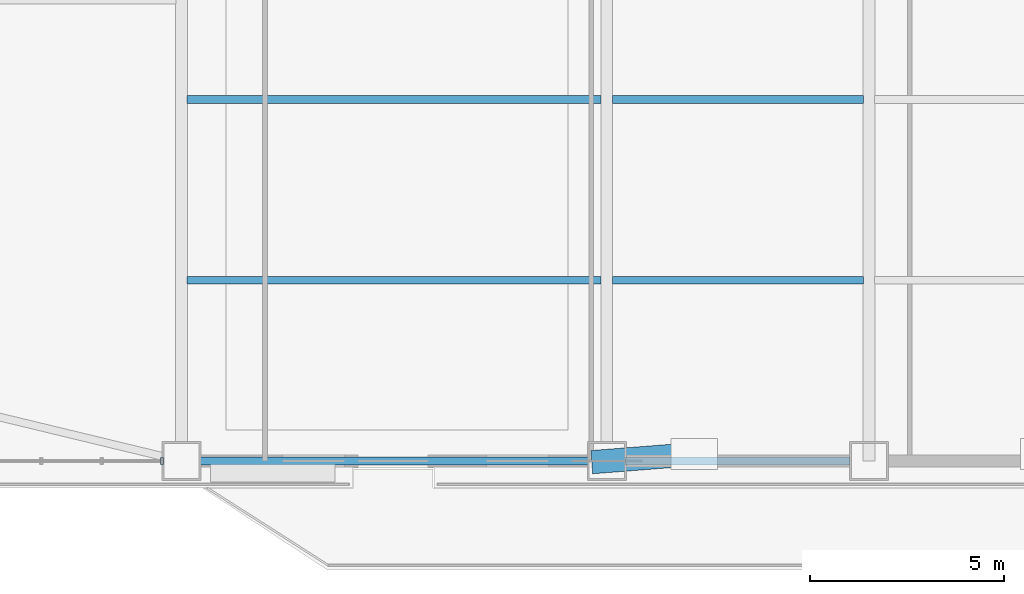
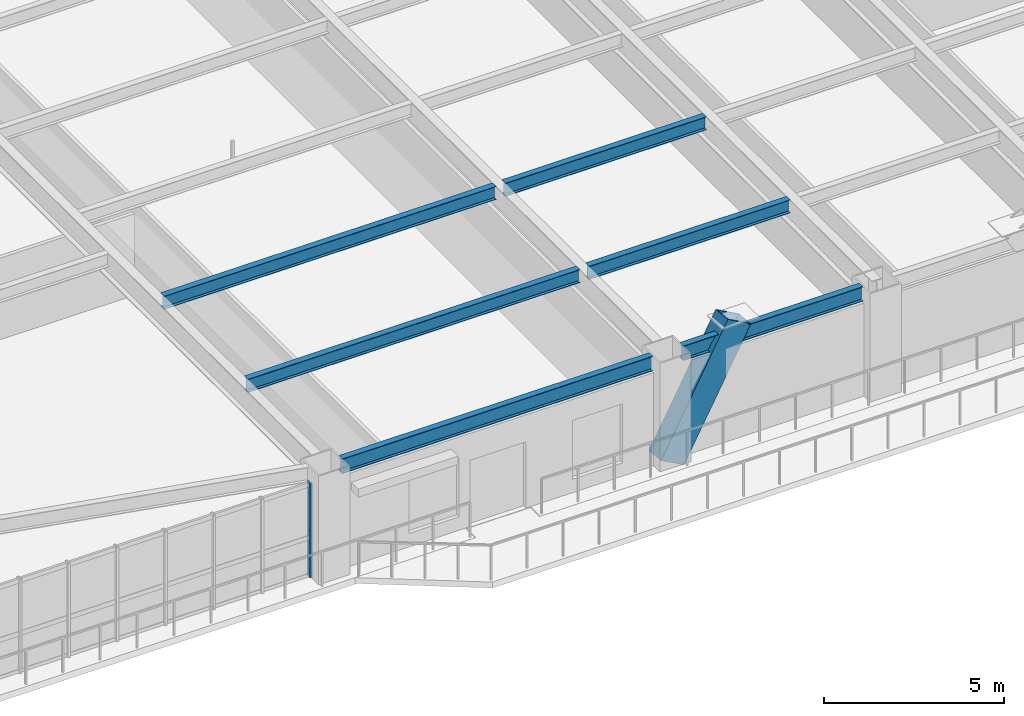
# One storey, part 4 of 18: 6 beams, 2 members, 1 element without a shape of its own.
"""IFC4 building model written with IfcOpenShell, lengths in metres."""

from ifc_helpers import new_model, si_unit, direction, frame, origin, origin_2d, place, context, subcontext, project, spatial, hollow_rectangle, i_section, extrude, source, transform, mapped, material, layer, layer_set, material_profile, profile_set, type_object, element, aggregate, save


model = new_model("IFC4")

# Units and contexts
model_context = context("Model", 3, precision=1e-05, world=origin(), true_north=direction((0.0, 1.0)))
body_context = subcontext(model_context, "Body", "Model", "MODEL_VIEW")
ifc_project = project(units=[si_unit("LENGTHUNIT", "METRE"), si_unit("AREAUNIT", "SQUARE_METRE"), si_unit("VOLUMEUNIT", "CUBIC_METRE"), si_unit("PLANEANGLEUNIT", "RADIAN"), si_unit("MASSUNIT", "GRAM", prefix="KILO")], contexts=[model_context])

# Site, building, storey
site_placement = place(None, origin())
site = spatial("IfcSite", under=ifc_project, at=site_placement, CompositionType="ELEMENT")
building_placement = place(site_placement, origin())
building = spatial("IfcBuilding", under=site, at=building_placement, Name="Giltprow Tower", CompositionType="ELEMENT")
storey_placement = place(building_placement, frame((0.0, 0.0, 61.10009765625)))
storey = spatial("IfcBuildingStorey", under=building, at=storey_placement, Name="L15", CompositionType="ELEMENT", Elevation=61.10009765625)

# Beams
ifc_material_1 = material(Name="Structural steel Q355B", Category="steel")
ifc_material_profile_1 = material_profile(ifc_material_1, i_section(OverallWidth=0.199951171875, OverallDepth=0.449951171875, WebThickness=0.009033203125, FlangeThickness=0.013916015625, at=origin_2d()), Name="HN 450x200x9x14")
ifc_profile_set_1 = profile_set([ifc_material_profile_1], Name="Structural steel Q355B")
beam_type_1 = type_object("IfcBeamType", Name="BM-JOIST-HN450", PredefinedType="JOIST", material=ifc_profile_set_1)
shared_shape_1 = source(origin(), body_context, "Body", "SweptSolid", [
    extrude(i_section(OverallWidth=0.199951171875, OverallDepth=0.449951171875, WebThickness=0.009033203125, FlangeThickness=0.013916015625, at=origin_2d()), origin(), (0.0, 0.0, 1.0), 10.659912109375),
])
for number, where, z_axis, x_axis, name in (
    (1, (19.9951171875, 9.534912109375, 3.454833984375), (1.0, 0.0, 0.0), (0.0, 1.0, 0.0), "L15 Composite Floor Joist 1-1"),
    (2, (19.9951171875, 14.18701171875, 3.454833984375), (1.0, 0.0, 0.0), (0.0, 1.0, 0.0), "L15 Composite Floor Joist 2-1"),
):
    element("IfcBeam", number, at=place(storey_placement, frame(where, z_axis=z_axis, x_axis=x_axis)), inside=storey, type_object=beam_type_1, Name=name, PredefinedType="JOIST", context=body_context, shape_type="MappedRepresentation", body=[
        mapped(shared_shape_1, transform((0.0, 0.0, 0.0), x_axis=(1.0, 0.0, 0.0), y_axis=(0.0, 1.0, 0.0), z_axis=(0.0, 0.0, 1.0), scale=1.0)),
    ])
shared_shape_2 = source(origin(), body_context, "Body", "SweptSolid", [
    extrude(i_section(OverallWidth=0.199951171875, OverallDepth=0.449951171875, WebThickness=0.009033203125, FlangeThickness=0.013916015625, at=origin_2d()), origin(), (0.0, 0.0, 1.0), 6.4599609375),
])
for number, where, z_axis, x_axis, name in (
    (3, (30.945068359375, 9.534912109375, 3.454833984375), (1.0, 0.0, 0.0), (0.0, 1.0, 0.0), "L15 Composite Floor Joist 1-2"),
    (4, (30.945068359375, 14.18701171875, 3.454833984375), (1.0, 0.0, 0.0), (0.0, 1.0, 0.0), "L15 Composite Floor Joist 2-2"),
):
    element("IfcBeam", number, at=place(storey_placement, frame(where, z_axis=z_axis, x_axis=x_axis)), inside=storey, type_object=beam_type_1, Name=name, PredefinedType="JOIST", context=body_context, shape_type="MappedRepresentation", body=[
        mapped(shared_shape_2, transform((0.0, 0.0, 0.0), x_axis=(1.0, 0.0, 0.0), y_axis=(0.0, 1.0, 0.0), z_axis=(0.0, 0.0, 1.0), scale=1.0)),
    ])
ifc_material_profile_2 = material_profile(ifc_material_1, i_section(OverallWidth=0.199951171875, OverallDepth=0.5, WebThickness=0.010009765625, FlangeThickness=0.01611328125, at=origin_2d()), Name="HN 500x200x10x16")
ifc_profile_set_2 = profile_set([ifc_material_profile_2], Name="Structural steel Q355B")
beam_type_2 = type_object("IfcBeamType", Name="BM-SPAN-HN500", PredefinedType="SPANDREL", material=ifc_profile_set_2)
shared_shape_3 = source(origin(), body_context, "Body", "SweptSolid", [
    extrude(i_section(OverallWidth=0.199951171875, OverallDepth=0.5, WebThickness=0.010009765625, FlangeThickness=0.01611328125, at=origin_2d()), origin(), (0.0, 0.0, 1.0), 9.97998046875),
])
beam_1_placement = place(storey_placement, frame((20.3349609375, 4.882080078125, 3.429931640625), z_axis=(1.0, 0.0, 0.0), x_axis=(0.0, 1.0, 0.0)))
element("IfcBeam", 5, at=beam_1_placement, inside=storey, type_object=beam_type_2, Name="L15 Perimeter Spandrel Beam S1-S2", PredefinedType="SPANDREL", context=body_context, shape_type="MappedRepresentation", body=[
    mapped(shared_shape_3, transform((0.0, 0.0, 0.0), x_axis=(1.0, 0.0, 0.0), y_axis=(0.0, 1.0, 0.0), z_axis=(0.0, 0.0, 1.0), scale=1.0)),
])
shared_shape_4 = source(origin(), body_context, "Body", "SweptSolid", [
    extrude(i_section(OverallWidth=0.199951171875, OverallDepth=0.5, WebThickness=0.010009765625, FlangeThickness=0.01611328125, at=origin_2d()), origin(), (0.0, 0.0, 1.0), 5.780029296875),
])
beam_2_placement = place(storey_placement, frame((31.284912109375, 4.882080078125, 3.429931640625), z_axis=(1.0, 0.0, 0.0), x_axis=(0.0, 1.0, 0.0)))
element("IfcBeam", 6, at=beam_2_placement, inside=storey, type_object=beam_type_2, Name="L15 Perimeter Spandrel Beam S2-S_MID", PredefinedType="SPANDREL", context=body_context, shape_type="MappedRepresentation", body=[
    mapped(shared_shape_4, transform((0.0, 0.0, 0.0), x_axis=(1.0, 0.0, 0.0), y_axis=(0.0, 1.0, 0.0), z_axis=(0.0, 0.0, 1.0), scale=1.0)),
])

# Member
ifc_material_2 = material(Name="Structural steel Q420GJC", Category="steel")
ifc_material_profile_3 = material_profile(ifc_material_2, hollow_rectangle(XDim=0.60009765625, YDim=0.89990234375, WallThickness=0.0400390625, at=origin_2d()), Name="RHS 900x600x40")
ifc_profile_set_3 = profile_set([ifc_material_profile_3], Name="Structural steel Q420GJC")
member_type_1 = type_object("IfcMemberType", Name="MBR-MEGA-RHS900", PredefinedType="BRACE", material=ifc_profile_set_3)
shared_shape_5 = source(origin(), body_context, "Body", "SweptSolid", [
    extrude(hollow_rectangle(XDim=0.60009765625, YDim=0.89990234375, WallThickness=0.0400390625, at=origin_2d()), origin(), (0.0, 0.0, 1.0), 4.505859375),
])
member_1_placement = place(storey_placement, frame((30.800048828125, 4.882080078125, 0.0), z_axis=(0.499350364216, 0.039065930187, 0.865518958115), x_axis=(-0.077995186993, 0.996953735539, 0.0)))
element("IfcMember", 7, at=member_1_placement, inside=storey, type_object=member_type_1, Name="L15 Chevron Mega-Brace S-L", PredefinedType="BRACE", context=body_context, shape_type="MappedRepresentation", body=[
    mapped(shared_shape_5, transform((0.0, 0.0, 0.0), x_axis=(1.0, 0.0, 0.0), y_axis=(0.0, 1.0, 0.0), z_axis=(0.0, 0.0, 1.0), scale=1.0)),
])

# Curtain wall, member
ifc_material_3 = material(Name="Anodized bronze", Category="metal")
ifc_layer = layer(ifc_material_3, 0.179931640625, Name="Anodized bronze")
ifc_layer_set = layer_set([ifc_layer], Name="Anodized bronze")
curtain_wall_type = type_object("IfcCurtainWallType", Name="CW-OFF-RECESSED", PredefinedType="NOTDEFINED", material=ifc_layer_set)
curtain_wall_placement = place(storey_placement, origin())
curtain_wall = element("IfcCurtainWall", 8, at=curtain_wall_placement, inside=storey, type_object=curtain_wall_type, Name="L15 South Recessed Curtain Wall 1", PredefinedType="NOTDEFINED")
ifc_material_profile_4 = material_profile(ifc_material_3, hollow_rectangle(XDim=0.074951171875, YDim=0.179931640625, WallThickness=0.008056640625, at=origin_2d()), Name="RHS 180x75x8")
ifc_profile_set_4 = profile_set([ifc_material_profile_4], Name="Anodized bronze")
member_type_2 = type_object("IfcMemberType", Name="CW-MULLION-180x75", PredefinedType="MULLION", material=ifc_profile_set_4)
shared_shape_6 = source(origin(), body_context, "Body", "SweptSolid", [
    extrude(hollow_rectangle(XDim=0.074951171875, YDim=0.179931640625, WallThickness=0.008056640625, at=origin_2d()), origin(), (0.0, 0.0, 1.0), 3.21484375),
])
member_2_placement = place(storey_placement, frame((19.35009765625, 4.882080078125, -0.02001953125), z_axis=(0.0, 0.0, 1.0), x_axis=(1.0, 0.0, 0.0)))
member_2 = element("IfcMember", 9, at=member_2_placement, type_object=member_type_2, Name="L15 South Recessed Curtain Wall 1 Mullion 9", PredefinedType="MULLION", context=body_context, shape_type="MappedRepresentation", body=[
    mapped(shared_shape_6, transform((0.0, 0.0, 0.0), x_axis=(1.0, 0.0, 0.0), y_axis=(0.0, 1.0, 0.0), z_axis=(0.0, 0.0, 1.0), scale=1.0)),
])
aggregate(curtain_wall, [member_2])

save(model, "model.ifc")
